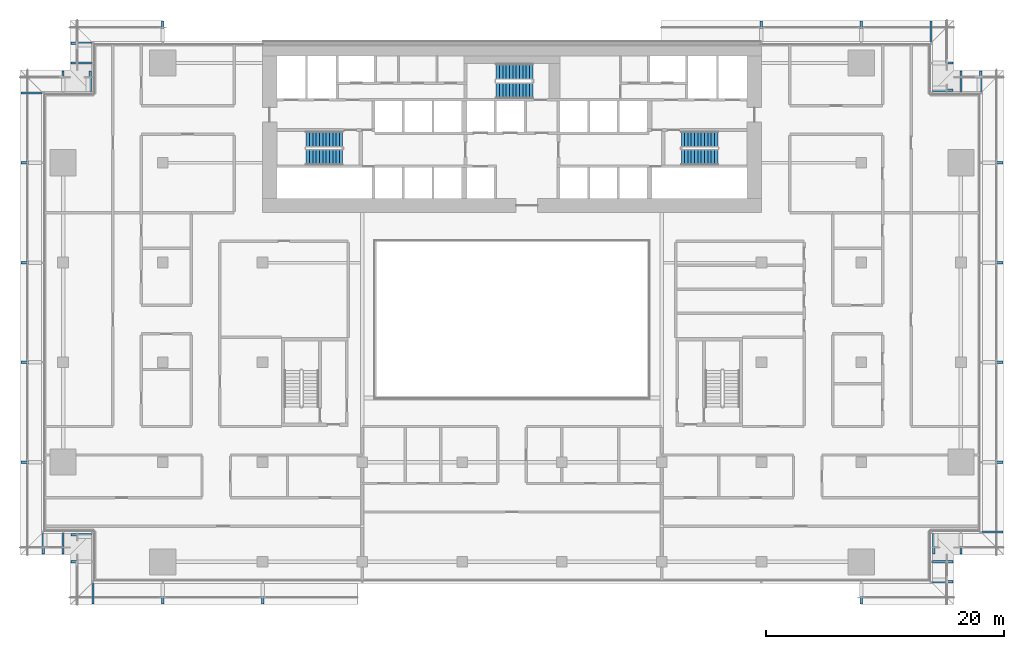
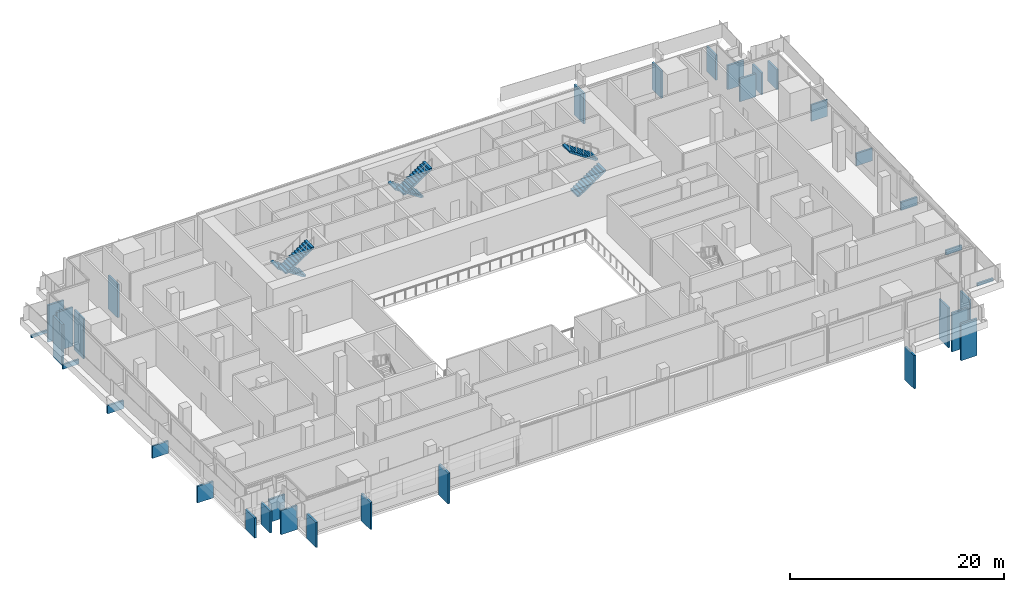
# One storey, part 19 of 23: 34 discrete accessories, 6 stair flights, 3 elements without a shape of their own.
"""IFC4 building model written with IfcOpenShell, lengths in metres."""

from ifc_helpers import new_model, si_unit, direction, frame, origin, origin_2d, place, context, subcontext, project, spatial, polyline, rectangle, outline, extrude, material, type_object, element, aggregate, save


model = new_model("IFC4")

# Units and contexts
model_context = context("Model", 3, precision=1e-05, world=origin(), true_north=direction((0.0, 1.0)))
body_context = subcontext(model_context, "Body", "Model", "MODEL_VIEW")
ifc_project = project(units=[si_unit("LENGTHUNIT", "METRE"), si_unit("AREAUNIT", "SQUARE_METRE"), si_unit("VOLUMEUNIT", "CUBIC_METRE"), si_unit("PLANEANGLEUNIT", "RADIAN"), si_unit("MASSUNIT", "GRAM", prefix="KILO")], contexts=[model_context])

# Site, building, storey
site_placement = place(None, origin())
site = spatial("IfcSite", under=ifc_project, at=site_placement, CompositionType="ELEMENT")
building_placement = place(site_placement, origin())
building = spatial("IfcBuilding", under=site, at=building_placement, Name="Saffron Gate Tower", CompositionType="ELEMENT")
storey_placement = place(building_placement, frame((0.0, 0.0, 23.699951171875)))
storey = spatial("IfcBuildingStorey", under=building, at=storey_placement, Name="L04", CompositionType="ELEMENT", Elevation=23.699951171875)

# Stair, stair flights
ifc_material = material(Name="Concrete C40", Category="concrete")
stair_type = type_object("IfcStairType", Name="ST6 Stair 1350 wide, 24 risers of 188", PredefinedType="HALF_TURN_STAIR", material=ifc_material)
stair_1_placement = place(storey_placement, origin())
stair_1 = element("IfcStair", 1, at=stair_1_placement, inside=storey, type_object=stair_type, Name="L04 Exit stair A", PredefinedType="HALF_TURN_STAIR")
stair_flight_type = type_object("IfcStairFlightType", Name="SF2 Stair flight 1350 wide, riser 188 going 280", PredefinedType="STRAIGHT", material=ifc_material)
stair_flight_1_placement = place(storey_placement, frame((73.35009765625, 67.375, 0.0), z_axis=(0.0, 0.0, 1.0), x_axis=(-1.0, 0.0, 0.0)))
stair_flight_1 = element("IfcStairFlight", 2, at=stair_flight_1_placement, type_object=stair_flight_type, Name="ST-A flight 1", NumberOfRisers=12, NumberOfTreads=11, PredefinedType="STRAIGHT", RiserHeight=0.1875, TreadLength=0.28, context=body_context, shape_type="SweptSolid", body=[
    extrude(outline(polyline([(0.0, 0.0), (0.0, 0.1875), (0.280029296875, 0.1875), (0.280029296875, 0.375), (0.56005859375, 0.375), (0.56005859375, 0.5625), (0.840087890625, 0.5625), (0.840087890625, 0.75), (1.1201171875, 0.75), (1.1201171875, 0.9375), (1.39990234375, 0.9375), (1.39990234375, 1.125), (1.679931640625, 1.125), (1.679931640625, 1.3125), (1.9599609375, 1.3125), (1.9599609375, 1.5), (2.239990234375, 1.5), (2.239990234375, 1.6875), (2.52001953125, 1.6875), (2.52001953125, 1.875), (2.800048828125, 1.875), (2.800048828125, 2.0625), (3.080078125, 2.0625), (3.080078125, 2.25), (3.080078125, 1.882080078125), (0.26953125, 0.0), (0.0, 0.0)])), frame((0.0, 0.675048828125, 0.0), z_axis=(0.0, -1.0, 0.0), x_axis=(1.0, 0.0, 0.0)), (0.0, 0.0, 1.0), 1.35009765625),
])
stair_flight_2_placement = place(storey_placement, frame((70.27001953125, 65.875, 2.25), z_axis=(0.0, 0.0, 1.0), x_axis=(1.0, 0.0, 0.0)))
stair_flight_2 = element("IfcStairFlight", 3, at=stair_flight_2_placement, type_object=stair_flight_type, Name="ST-A flight 2", NumberOfRisers=12, NumberOfTreads=11, PredefinedType="STRAIGHT", RiserHeight=0.1875, TreadLength=0.28, context=body_context, shape_type="SweptSolid", body=[
    extrude(outline(polyline([(0.0, 0.0), (0.0, 0.1875), (0.280029296875, 0.1875), (0.280029296875, 0.375), (0.56005859375, 0.375), (0.56005859375, 0.5625), (0.840087890625, 0.5625), (0.840087890625, 0.75), (1.1201171875, 0.75), (1.1201171875, 0.9375), (1.39990234375, 0.9375), (1.39990234375, 1.125), (1.679931640625, 1.125), (1.679931640625, 1.3125), (1.9599609375, 1.3125), (1.9599609375, 1.5), (2.239990234375, 1.5), (2.239990234375, 1.6875), (2.52001953125, 1.6875), (2.52001953125, 1.875), (2.800048828125, 1.875), (2.800048828125, 2.0625), (3.080078125, 2.0625), (3.080078125, 2.25), (3.080078125, 1.882080078125), (0.26953125, 0.0), (0.0, 0.0)])), frame((0.0, 0.675048828125, 0.0), z_axis=(0.0, -1.0, 0.0), x_axis=(1.0, 0.0, 0.0)), (0.0, 0.0, 1.0), 1.35009765625),
])
aggregate(stair_1, [stair_flight_1, stair_flight_2])

stair_2_placement = place(storey_placement, origin())
stair_2 = element("IfcStair", 4, at=stair_2_placement, inside=storey, type_object=stair_type, Name="L04 Exit stair B", PredefinedType="HALF_TURN_STAIR")
stair_flight_3_placement = place(storey_placement, frame((101.85009765625, 65.875, 0.0), z_axis=(0.0, 0.0, 1.0), x_axis=(1.0, 0.0, 0.0)))
stair_flight_3 = element("IfcStairFlight", 5, at=stair_flight_3_placement, type_object=stair_flight_type, Name="ST-B flight 1", NumberOfRisers=12, NumberOfTreads=11, PredefinedType="STRAIGHT", RiserHeight=0.1875, TreadLength=0.28, context=body_context, shape_type="SweptSolid", body=[
    extrude(outline(polyline([(0.0, 0.0), (0.0, 0.1875), (0.280029296875, 0.1875), (0.280029296875, 0.375), (0.56005859375, 0.375), (0.56005859375, 0.5625), (0.840087890625, 0.5625), (0.840087890625, 0.75), (1.1201171875, 0.75), (1.1201171875, 0.9375), (1.39990234375, 0.9375), (1.39990234375, 1.125), (1.679931640625, 1.125), (1.679931640625, 1.3125), (1.9599609375, 1.3125), (1.9599609375, 1.5), (2.239990234375, 1.5), (2.239990234375, 1.6875), (2.52001953125, 1.6875), (2.52001953125, 1.875), (2.800048828125, 1.875), (2.800048828125, 2.0625), (3.080078125, 2.0625), (3.080078125, 2.25), (3.080078125, 1.882080078125), (0.26953125, 0.0), (0.0, 0.0)])), frame((0.0, 0.675048828125, 0.0), z_axis=(0.0, -1.0, 0.0), x_axis=(1.0, 0.0, 0.0)), (0.0, 0.0, 1.0), 1.35009765625),
])
stair_flight_4_placement = place(storey_placement, frame((104.929931640625, 67.375, 2.25), z_axis=(0.0, 0.0, 1.0), x_axis=(-1.0, 0.0, 0.0)))
stair_flight_4 = element("IfcStairFlight", 6, at=stair_flight_4_placement, type_object=stair_flight_type, Name="ST-B flight 2", NumberOfRisers=12, NumberOfTreads=11, PredefinedType="STRAIGHT", RiserHeight=0.1875, TreadLength=0.28, context=body_context, shape_type="SweptSolid", body=[
    extrude(outline(polyline([(0.0, 0.0), (0.0, 0.1875), (0.280029296875, 0.1875), (0.280029296875, 0.375), (0.56005859375, 0.375), (0.56005859375, 0.5625), (0.840087890625, 0.5625), (0.840087890625, 0.75), (1.1201171875, 0.75), (1.1201171875, 0.9375), (1.39990234375, 0.9375), (1.39990234375, 1.125), (1.679931640625, 1.125), (1.679931640625, 1.3125), (1.9599609375, 1.3125), (1.9599609375, 1.5), (2.239990234375, 1.5), (2.239990234375, 1.6875), (2.52001953125, 1.6875), (2.52001953125, 1.875), (2.800048828125, 1.875), (2.800048828125, 2.0625), (3.080078125, 2.0625), (3.080078125, 2.25), (3.080078125, 1.882080078125), (0.26953125, 0.0), (0.0, 0.0)])), frame((0.0, 0.675048828125, 0.0), z_axis=(0.0, -1.0, 0.0), x_axis=(1.0, 0.0, 0.0)), (0.0, 0.0, 1.0), 1.35009765625),
])
aggregate(stair_2, [stair_flight_3, stair_flight_4])

stair_3_placement = place(storey_placement, origin())
stair_3 = element("IfcStair", 7, at=stair_3_placement, inside=storey, type_object=stair_type, Name="L04 Exit stair C", PredefinedType="HALF_TURN_STAIR")
stair_flight_5_placement = place(storey_placement, frame((89.35009765625, 73.074951171875, 0.0), z_axis=(0.0, 0.0, 1.0), x_axis=(-1.0, 0.0, 0.0)))
stair_flight_5 = element("IfcStairFlight", 8, at=stair_flight_5_placement, type_object=stair_flight_type, Name="ST-C flight 1", NumberOfRisers=12, NumberOfTreads=11, PredefinedType="STRAIGHT", RiserHeight=0.1875, TreadLength=0.28, context=body_context, shape_type="SweptSolid", body=[
    extrude(outline(polyline([(0.0, 0.0), (0.0, 0.1875), (0.280029296875, 0.1875), (0.280029296875, 0.375), (0.56005859375, 0.375), (0.56005859375, 0.5625), (0.840087890625, 0.5625), (0.840087890625, 0.75), (1.1201171875, 0.75), (1.1201171875, 0.9375), (1.39990234375, 0.9375), (1.39990234375, 1.125), (1.679931640625, 1.125), (1.679931640625, 1.3125), (1.9599609375, 1.3125), (1.9599609375, 1.5), (2.239990234375, 1.5), (2.239990234375, 1.6875), (2.52001953125, 1.6875), (2.52001953125, 1.875), (2.800048828125, 1.875), (2.800048828125, 2.0625), (3.080078125, 2.0625), (3.080078125, 2.25), (3.080078125, 1.882080078125), (0.26953125, 0.0), (0.0, 0.0)])), frame((0.0, 0.675048828125, 0.0), z_axis=(0.0, -1.0, 0.0), x_axis=(1.0, 0.0, 0.0)), (0.0, 0.0, 1.0), 1.35009765625),
])
stair_flight_6_placement = place(storey_placement, frame((86.27001953125, 71.47509765625, 2.25), z_axis=(0.0, 0.0, 1.0), x_axis=(1.0, 0.0, 0.0)))
stair_flight_6 = element("IfcStairFlight", 9, at=stair_flight_6_placement, type_object=stair_flight_type, Name="ST-C flight 2", NumberOfRisers=12, NumberOfTreads=11, PredefinedType="STRAIGHT", RiserHeight=0.1875, TreadLength=0.28, context=body_context, shape_type="SweptSolid", body=[
    extrude(outline(polyline([(0.0, 0.0), (0.0, 0.1875), (0.280029296875, 0.1875), (0.280029296875, 0.375), (0.56005859375, 0.375), (0.56005859375, 0.5625), (0.840087890625, 0.5625), (0.840087890625, 0.75), (1.1201171875, 0.75), (1.1201171875, 0.9375), (1.39990234375, 0.9375), (1.39990234375, 1.125), (1.679931640625, 1.125), (1.679931640625, 1.3125), (1.9599609375, 1.3125), (1.9599609375, 1.5), (2.239990234375, 1.5), (2.239990234375, 1.6875), (2.52001953125, 1.6875), (2.52001953125, 1.875), (2.800048828125, 1.875), (2.800048828125, 2.0625), (3.080078125, 2.0625), (3.080078125, 2.25), (3.080078125, 1.882080078125), (0.26953125, 0.0), (0.0, 0.0)])), frame((0.0, 0.675048828125, 0.0), z_axis=(0.0, -1.0, 0.0), x_axis=(1.0, 0.0, 0.0)), (0.0, 0.0, 1.0), 1.35009765625),
])
aggregate(stair_3, [stair_flight_5, stair_flight_6])

# Discrete accessories
discrete_accessory_1_placement = place(storey_placement, frame((117.0, 29.125, -4.7998046875), z_axis=(0.0, 0.0, 1.0), x_axis=(1.0, 0.0, 0.0)))
element("IfcDiscreteAccessory", 10, at=discrete_accessory_1_placement, inside=storey, Name="LEDGE rib", PredefinedType="BRACKET", context=body_context, shape_type="SweptSolid", body=[
    extrude(rectangle(XDim=0.199951171875, YDim=1.75, at=origin_2d()), origin(), (0.0, 0.0, 1.0), 3.818603515625),
])
discrete_accessory_2_placement = place(storey_placement, frame((123.875, 30.1201171875, -4.7998046875), z_axis=(0.0, 0.0, 1.0), x_axis=(0.0, 1.0, 0.0)))
element("IfcDiscreteAccessory", 11, at=discrete_accessory_2_placement, inside=storey, Name="LEDGE rib", PredefinedType="BRACKET", context=body_context, shape_type="SweptSolid", body=[
    extrude(rectangle(XDim=0.199951171875, YDim=1.75, at=origin_2d()), origin(), (0.0, 0.0, 1.0), 4.222412109375),
])
discrete_accessory_3_placement = place(storey_placement, frame((123.875, 31.800048828125, -4.800048828125), z_axis=(0.0, 0.0, 1.0), x_axis=(0.0, 1.0, 0.0)))
element("IfcDiscreteAccessory", 12, at=discrete_accessory_3_placement, inside=storey, Name="LEDGE rib", PredefinedType="BRACKET", context=body_context, shape_type="SweptSolid", body=[
    extrude(rectangle(XDim=0.199951171875, YDim=1.75, at=origin_2d()), origin(), (0.0, 0.0, 1.0), 4.439453125),
])
discrete_accessory_4_placement = place(storey_placement, frame((123.1201171875, 33.324951171875, -4.800048828125), z_axis=(0.0, 0.0, 1.0), x_axis=(1.0, 0.0, 0.0)))
element("IfcDiscreteAccessory", 13, at=discrete_accessory_4_placement, inside=storey, Name="LEDGE rib", PredefinedType="BRACKET", context=body_context, shape_type="SweptSolid", body=[
    extrude(rectangle(XDim=0.199951171875, YDim=1.75, at=origin_2d()), origin(), (0.0, 0.0, 1.0), 4.55810546875),
])
discrete_accessory_5_placement = place(storey_placement, frame((125.39990234375, 33.324951171875, -4.800048828125), z_axis=(0.0, 0.0, 1.0), x_axis=(1.0, 0.0, 0.0)))
element("IfcDiscreteAccessory", 14, at=discrete_accessory_5_placement, inside=storey, Name="LEDGE rib", PredefinedType="BRACKET", context=body_context, shape_type="SweptSolid", body=[
    extrude(rectangle(XDim=0.199951171875, YDim=1.75, at=origin_2d()), origin(), (0.0, 0.0, 1.0), 4.693359375),
])
discrete_accessory_6_placement = place(storey_placement, frame((128.074951171875, 34.320068359375, -0.2998046875), z_axis=(0.0, 0.0, 1.0), x_axis=(0.0, 1.0, 0.0)))
element("IfcDiscreteAccessory", 15, at=discrete_accessory_6_placement, inside=storey, Name="LEDGE rib", PredefinedType="BRACKET", context=body_context, shape_type="SweptSolid", body=[
    extrude(rectangle(XDim=0.199951171875, YDim=1.75, at=origin_2d()), origin(), (0.0, 0.0, 1.0), 0.311279296875),
])
discrete_accessory_7_placement = place(storey_placement, frame((128.074951171875, 40.199951171875, -0.2998046875), z_axis=(0.0, 0.0, 1.0), x_axis=(0.0, 1.0, 0.0)))
element("IfcDiscreteAccessory", 16, at=discrete_accessory_7_placement, inside=storey, Name="LEDGE rib", PredefinedType="BRACKET", context=body_context, shape_type="SweptSolid", body=[
    extrude(rectangle(XDim=0.199951171875, YDim=1.75, at=origin_2d()), origin(), (0.0, 0.0, 1.0), 0.533447265625),
])
discrete_accessory_8_placement = place(storey_placement, frame((128.074951171875, 48.60009765625, -0.2998046875), z_axis=(0.0, 0.0, 1.0), x_axis=(0.0, 1.0, 0.0)))
element("IfcDiscreteAccessory", 17, at=discrete_accessory_8_placement, inside=storey, Name="LEDGE rib", PredefinedType="BRACKET", context=body_context, shape_type="SweptSolid", body=[
    extrude(rectangle(XDim=0.199951171875, YDim=1.75, at=origin_2d()), origin(), (0.0, 0.0, 1.0), 0.940673828125),
])
discrete_accessory_9_placement = place(storey_placement, frame((128.074951171875, 57.0, -0.2998046875), z_axis=(0.0, 0.0, 1.0), x_axis=(0.0, 1.0, 0.0)))
element("IfcDiscreteAccessory", 18, at=discrete_accessory_9_placement, inside=storey, Name="LEDGE rib", PredefinedType="BRACKET", context=body_context, shape_type="SweptSolid", body=[
    extrude(rectangle(XDim=0.199951171875, YDim=1.75, at=origin_2d()), origin(), (0.0, 0.0, 1.0), 1.413818359375),
])
discrete_accessory_10_placement = place(storey_placement, frame((128.074951171875, 65.39990234375, -0.2998046875), z_axis=(0.0, 0.0, 1.0), x_axis=(0.0, 1.0, 0.0)))
element("IfcDiscreteAccessory", 19, at=discrete_accessory_10_placement, inside=storey, Name="LEDGE rib", PredefinedType="BRACKET", context=body_context, shape_type="SweptSolid", body=[
    extrude(rectangle(XDim=0.199951171875, YDim=1.75, at=origin_2d()), origin(), (0.0, 0.0, 1.0), 1.88671875),
])
discrete_accessory_11_placement = place(storey_placement, frame((127.080078125, 72.27490234375, -0.2998046875), z_axis=(0.0, 0.0, 1.0), x_axis=(-1.0, 0.0, 0.0)))
element("IfcDiscreteAccessory", 20, at=discrete_accessory_11_placement, inside=storey, Name="LEDGE rib", PredefinedType="BRACKET", context=body_context, shape_type="SweptSolid", body=[
    extrude(rectangle(XDim=0.199951171875, YDim=1.75, at=origin_2d()), origin(), (0.0, 0.0, 1.0), 2.290771484375),
])
discrete_accessory_12_placement = place(storey_placement, frame((125.39990234375, 72.27490234375, -0.300048828125), z_axis=(0.0, 0.0, 1.0), x_axis=(-1.0, 0.0, 0.0)))
element("IfcDiscreteAccessory", 21, at=discrete_accessory_12_placement, inside=storey, Name="LEDGE rib", PredefinedType="BRACKET", context=body_context, shape_type="SweptSolid", body=[
    extrude(rectangle(XDim=0.199951171875, YDim=1.75, at=origin_2d()), origin(), (0.0, 0.0, 1.0), 2.5078125),
])
discrete_accessory_13_placement = place(storey_placement, frame((123.875, 71.52001953125, -0.300048828125), z_axis=(0.0, 0.0, 1.0), x_axis=(0.0, 1.0, 0.0)))
element("IfcDiscreteAccessory", 22, at=discrete_accessory_13_placement, inside=storey, Name="LEDGE rib", PredefinedType="BRACKET", context=body_context, shape_type="SweptSolid", body=[
    extrude(rectangle(XDim=0.199951171875, YDim=1.75, at=origin_2d()), origin(), (0.0, 0.0, 1.0), 2.62646484375),
])
discrete_accessory_14_placement = place(storey_placement, frame((123.875, 73.800048828125, -0.2998046875), z_axis=(0.0, 0.0, 1.0), x_axis=(0.0, 1.0, 0.0)))
element("IfcDiscreteAccessory", 23, at=discrete_accessory_14_placement, inside=storey, Name="LEDGE rib", PredefinedType="BRACKET", context=body_context, shape_type="SweptSolid", body=[
    extrude(rectangle(XDim=0.199951171875, YDim=1.75, at=origin_2d()), origin(), (0.0, 0.0, 1.0), 2.761474609375),
])
discrete_accessory_15_placement = place(storey_placement, frame((122.8798828125, 76.47509765625, -0.2998046875), z_axis=(0.0, 0.0, 1.0), x_axis=(-1.0, 0.0, 0.0)))
element("IfcDiscreteAccessory", 24, at=discrete_accessory_15_placement, inside=storey, Name="LEDGE rib", PredefinedType="BRACKET", context=body_context, shape_type="SweptSolid", body=[
    extrude(rectangle(XDim=0.199951171875, YDim=1.75, at=origin_2d()), origin(), (0.0, 0.0, 1.0), 2.87939453125),
])
discrete_accessory_16_placement = place(storey_placement, frame((117.0, 76.47509765625, -0.2998046875), z_axis=(0.0, 0.0, 1.0), x_axis=(-1.0, 0.0, 0.0)))
element("IfcDiscreteAccessory", 25, at=discrete_accessory_16_placement, inside=storey, Name="LEDGE rib", PredefinedType="BRACKET", context=body_context, shape_type="SweptSolid", body=[
    extrude(rectangle(XDim=0.199951171875, YDim=1.75, at=origin_2d()), origin(), (0.0, 0.0, 1.0), 3.101806640625),
])
discrete_accessory_17_placement = place(storey_placement, frame((108.60009765625, 76.47509765625, -0.2998046875), z_axis=(0.0, 0.0, 1.0), x_axis=(-1.0, 0.0, 0.0)))
element("IfcDiscreteAccessory", 26, at=discrete_accessory_17_placement, inside=storey, Name="LEDGE rib", PredefinedType="BRACKET", context=body_context, shape_type="SweptSolid", body=[
    extrude(rectangle(XDim=0.199951171875, YDim=1.75, at=origin_2d()), origin(), (0.0, 0.0, 1.0), 3.509033203125),
])
discrete_accessory_18_placement = place(storey_placement, frame((58.199951171875, 76.47509765625, -4.7998046875), z_axis=(0.0, 0.0, 1.0), x_axis=(-1.0, 0.0, 0.0)))
element("IfcDiscreteAccessory", 27, at=discrete_accessory_18_placement, inside=storey, Name="LEDGE rib", PredefinedType="BRACKET", context=body_context, shape_type="SweptSolid", body=[
    extrude(rectangle(XDim=0.199951171875, YDim=1.75, at=origin_2d()), origin(), (0.0, 0.0, 1.0), 3.818603515625),
])
discrete_accessory_19_placement = place(storey_placement, frame((51.324951171875, 75.47998046875, -4.7998046875), z_axis=(0.0, 0.0, 1.0), x_axis=(0.0, -1.0, 0.0)))
element("IfcDiscreteAccessory", 28, at=discrete_accessory_19_placement, inside=storey, Name="LEDGE rib", PredefinedType="BRACKET", context=body_context, shape_type="SweptSolid", body=[
    extrude(rectangle(XDim=0.199951171875, YDim=1.75, at=origin_2d()), origin(), (0.0, 0.0, 1.0), 4.222412109375),
])
discrete_accessory_20_placement = place(storey_placement, frame((51.324951171875, 73.800048828125, -4.800048828125), z_axis=(0.0, 0.0, 1.0), x_axis=(0.0, -1.0, 0.0)))
element("IfcDiscreteAccessory", 29, at=discrete_accessory_20_placement, inside=storey, Name="LEDGE rib", PredefinedType="BRACKET", context=body_context, shape_type="SweptSolid", body=[
    extrude(rectangle(XDim=0.199951171875, YDim=1.75, at=origin_2d()), origin(), (0.0, 0.0, 1.0), 4.439453125),
])
discrete_accessory_21_placement = place(storey_placement, frame((52.080078125, 72.27490234375, -4.800048828125), z_axis=(0.0, 0.0, 1.0), x_axis=(-1.0, 0.0, 0.0)))
element("IfcDiscreteAccessory", 30, at=discrete_accessory_21_placement, inside=storey, Name="LEDGE rib", PredefinedType="BRACKET", context=body_context, shape_type="SweptSolid", body=[
    extrude(rectangle(XDim=0.199951171875, YDim=1.75, at=origin_2d()), origin(), (0.0, 0.0, 1.0), 4.55810546875),
])
discrete_accessory_22_placement = place(storey_placement, frame((49.800048828125, 72.27490234375, -4.800048828125), z_axis=(0.0, 0.0, 1.0), x_axis=(-1.0, 0.0, 0.0)))
element("IfcDiscreteAccessory", 31, at=discrete_accessory_22_placement, inside=storey, Name="LEDGE rib", PredefinedType="BRACKET", context=body_context, shape_type="SweptSolid", body=[
    extrude(rectangle(XDim=0.199951171875, YDim=1.75, at=origin_2d()), origin(), (0.0, 0.0, 1.0), 4.693359375),
])
discrete_accessory_23_placement = place(storey_placement, frame((47.125, 71.280029296875, -0.2998046875), z_axis=(0.0, 0.0, 1.0), x_axis=(0.0, -1.0, 0.0)))
element("IfcDiscreteAccessory", 32, at=discrete_accessory_23_placement, inside=storey, Name="LEDGE rib", PredefinedType="BRACKET", context=body_context, shape_type="SweptSolid", body=[
    extrude(rectangle(XDim=0.199951171875, YDim=1.75, at=origin_2d()), origin(), (0.0, 0.0, 1.0), 0.311279296875),
])
discrete_accessory_24_placement = place(storey_placement, frame((47.125, 65.39990234375, -0.2998046875), z_axis=(0.0, 0.0, 1.0), x_axis=(0.0, -1.0, 0.0)))
element("IfcDiscreteAccessory", 33, at=discrete_accessory_24_placement, inside=storey, Name="LEDGE rib", PredefinedType="BRACKET", context=body_context, shape_type="SweptSolid", body=[
    extrude(rectangle(XDim=0.199951171875, YDim=1.75, at=origin_2d()), origin(), (0.0, 0.0, 1.0), 0.533447265625),
])
discrete_accessory_25_placement = place(storey_placement, frame((47.125, 57.0, -0.2998046875), z_axis=(0.0, 0.0, 1.0), x_axis=(0.0, -1.0, 0.0)))
element("IfcDiscreteAccessory", 34, at=discrete_accessory_25_placement, inside=storey, Name="LEDGE rib", PredefinedType="BRACKET", context=body_context, shape_type="SweptSolid", body=[
    extrude(rectangle(XDim=0.199951171875, YDim=1.75, at=origin_2d()), origin(), (0.0, 0.0, 1.0), 0.940673828125),
])
discrete_accessory_26_placement = place(storey_placement, frame((47.125, 48.60009765625, -0.2998046875), z_axis=(0.0, 0.0, 1.0), x_axis=(0.0, -1.0, 0.0)))
element("IfcDiscreteAccessory", 35, at=discrete_accessory_26_placement, inside=storey, Name="LEDGE rib", PredefinedType="BRACKET", context=body_context, shape_type="SweptSolid", body=[
    extrude(rectangle(XDim=0.199951171875, YDim=1.75, at=origin_2d()), origin(), (0.0, 0.0, 1.0), 1.413818359375),
])
discrete_accessory_27_placement = place(storey_placement, frame((47.125, 40.199951171875, -0.2998046875), z_axis=(0.0, 0.0, 1.0), x_axis=(0.0, -1.0, 0.0)))
element("IfcDiscreteAccessory", 36, at=discrete_accessory_27_placement, inside=storey, Name="LEDGE rib", PredefinedType="BRACKET", context=body_context, shape_type="SweptSolid", body=[
    extrude(rectangle(XDim=0.199951171875, YDim=1.75, at=origin_2d()), origin(), (0.0, 0.0, 1.0), 1.88671875),
])
discrete_accessory_28_placement = place(storey_placement, frame((48.1201171875, 33.324951171875, -0.2998046875), z_axis=(0.0, 0.0, 1.0), x_axis=(1.0, 0.0, 0.0)))
element("IfcDiscreteAccessory", 37, at=discrete_accessory_28_placement, inside=storey, Name="LEDGE rib", PredefinedType="BRACKET", context=body_context, shape_type="SweptSolid", body=[
    extrude(rectangle(XDim=0.199951171875, YDim=1.75, at=origin_2d()), origin(), (0.0, 0.0, 1.0), 2.290771484375),
])
discrete_accessory_29_placement = place(storey_placement, frame((49.800048828125, 33.324951171875, -0.300048828125), z_axis=(0.0, 0.0, 1.0), x_axis=(1.0, 0.0, 0.0)))
element("IfcDiscreteAccessory", 38, at=discrete_accessory_29_placement, inside=storey, Name="LEDGE rib", PredefinedType="BRACKET", context=body_context, shape_type="SweptSolid", body=[
    extrude(rectangle(XDim=0.199951171875, YDim=1.75, at=origin_2d()), origin(), (0.0, 0.0, 1.0), 2.5078125),
])
discrete_accessory_30_placement = place(storey_placement, frame((51.324951171875, 34.080078125, -0.300048828125), z_axis=(0.0, 0.0, 1.0), x_axis=(0.0, -1.0, 0.0)))
element("IfcDiscreteAccessory", 39, at=discrete_accessory_30_placement, inside=storey, Name="LEDGE rib", PredefinedType="BRACKET", context=body_context, shape_type="SweptSolid", body=[
    extrude(rectangle(XDim=0.199951171875, YDim=1.75, at=origin_2d()), origin(), (0.0, 0.0, 1.0), 2.62646484375),
])
discrete_accessory_31_placement = place(storey_placement, frame((51.324951171875, 31.800048828125, -0.2998046875), z_axis=(0.0, 0.0, 1.0), x_axis=(0.0, -1.0, 0.0)))
element("IfcDiscreteAccessory", 40, at=discrete_accessory_31_placement, inside=storey, Name="LEDGE rib", PredefinedType="BRACKET", context=body_context, shape_type="SweptSolid", body=[
    extrude(rectangle(XDim=0.199951171875, YDim=1.75, at=origin_2d()), origin(), (0.0, 0.0, 1.0), 2.761474609375),
])
discrete_accessory_32_placement = place(storey_placement, frame((52.320068359375, 29.125, -0.2998046875), z_axis=(0.0, 0.0, 1.0), x_axis=(1.0, 0.0, 0.0)))
element("IfcDiscreteAccessory", 41, at=discrete_accessory_32_placement, inside=storey, Name="LEDGE rib", PredefinedType="BRACKET", context=body_context, shape_type="SweptSolid", body=[
    extrude(rectangle(XDim=0.199951171875, YDim=1.75, at=origin_2d()), origin(), (0.0, 0.0, 1.0), 2.87939453125),
])
discrete_accessory_33_placement = place(storey_placement, frame((58.199951171875, 29.125, -0.2998046875), z_axis=(0.0, 0.0, 1.0), x_axis=(1.0, 0.0, 0.0)))
element("IfcDiscreteAccessory", 42, at=discrete_accessory_33_placement, inside=storey, Name="LEDGE rib", PredefinedType="BRACKET", context=body_context, shape_type="SweptSolid", body=[
    extrude(rectangle(XDim=0.199951171875, YDim=1.75, at=origin_2d()), origin(), (0.0, 0.0, 1.0), 3.101806640625),
])
discrete_accessory_34_placement = place(storey_placement, frame((66.60009765625, 29.125, -0.2998046875), z_axis=(0.0, 0.0, 1.0), x_axis=(1.0, 0.0, 0.0)))
element("IfcDiscreteAccessory", 43, at=discrete_accessory_34_placement, inside=storey, Name="LEDGE rib", PredefinedType="BRACKET", context=body_context, shape_type="SweptSolid", body=[
    extrude(rectangle(XDim=0.199951171875, YDim=1.75, at=origin_2d()), origin(), (0.0, 0.0, 1.0), 3.509033203125),
])

save(model, "model.ifc")
